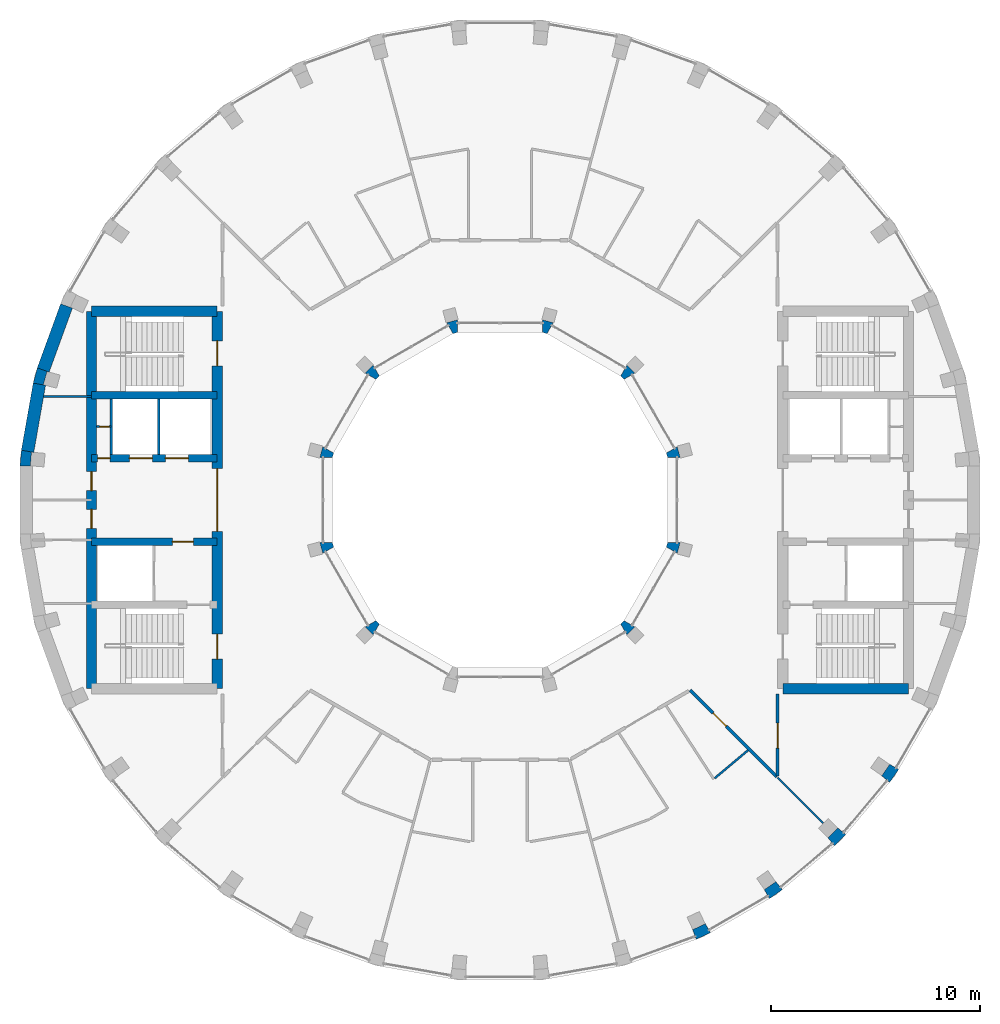
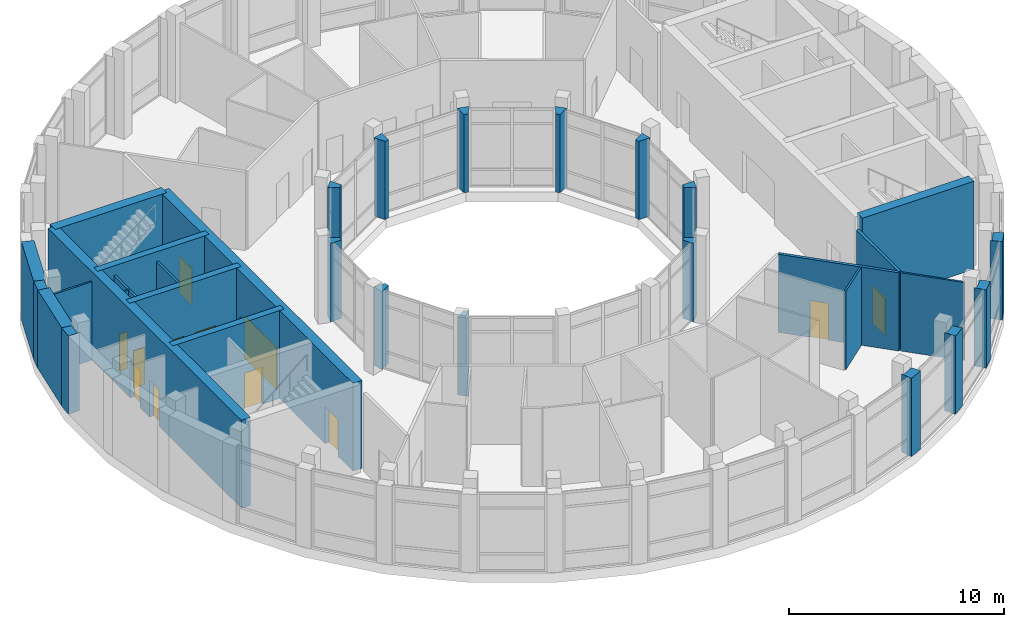
# One storey, part 12 of 16: 33 walls, 12 doors, 12 openings.
"""IFC4 building model written with IfcOpenShell, lengths in metres."""

from ifc_helpers import new_model, si_unit, direction, frame, frame_2d, origin, place, context, subcontext, project, spatial, polyline, rectangle, outline, extrude, material, layer, layer_set, type_object, element, fill, save


model = new_model("IFC4")

# Units and contexts
model_context = context("Model", 3, precision=1e-05, world=origin(), true_north=direction((0.0, 1.0)))
body_context = subcontext(model_context, "Body", "Model", "MODEL_VIEW")
ifc_project = project(units=[si_unit("LENGTHUNIT", "METRE"), si_unit("AREAUNIT", "SQUARE_METRE"), si_unit("VOLUMEUNIT", "CUBIC_METRE"), si_unit("PLANEANGLEUNIT", "RADIAN"), si_unit("MASSUNIT", "GRAM", prefix="KILO")], contexts=[model_context])

# Site, building, storey
site_placement = place(None, origin())
site = spatial("IfcSite", under=ifc_project, at=site_placement, CompositionType="ELEMENT")
building_placement = place(site_placement, origin())
building = spatial("IfcBuilding", under=site, at=building_placement, Name="Saqina Gate Tower", CompositionType="ELEMENT")
storey_placement = place(building_placement, frame((0.0, 0.0, 279.199951171875)))
storey = spatial("IfcBuildingStorey", under=building, at=storey_placement, Name="L80", CompositionType="ELEMENT", Elevation=279.199951171875)

# Walls
ifc_material_1 = material(Name="Brick masonry (buff)", Category="masonry")
wall_type_1 = type_object("IfcWallType", Name="BRICK PIER COPING BUFF", PredefinedType="SOLIDWALL", material=ifc_material_1)
wall_1_placement = place(storey_placement, origin())
element("IfcWall", 1, at=wall_1_placement, inside=storey, type_object=wall_type_1, Name="Pier cap L80 column 17", PredefinedType="SOLIDWALL", context=body_context, shape_type="SweptSolid", body=[
    extrude(outline(polyline([(-22.281982421875, 5.579833984375), (-21.691162109375, 5.4755859375), (-21.793212890625, 5.5029296875), (-21.625, 6.130859375), (-21.52294921875, 6.103515625), (-22.0869140625, 6.30859375), (-22.281982421875, 5.579833984375)])), origin(), (0.0, 0.0, 1.0), 4.449951171875),
])
wall_2_placement = place(storey_placement, origin())
element("IfcWall", 2, at=wall_2_placement, inside=storey, type_object=wall_type_1, Name="Pier cap L80 column 18", PredefinedType="SOLIDWALL", context=body_context, shape_type="SweptSolid", body=[
    extrude(outline(polyline([(-22.8466796875, 2.377685546875), (-22.91259765625, 1.625732421875), (-22.3125, 1.625732421875), (-22.417724609375, 1.635009765625), (-22.361083984375, 2.28271484375), (-22.255859375, 2.2734375), (-22.8466796875, 2.377685546875)])), origin(), (0.0, 0.0, 1.0), 4.449951171875),
])
wall_3_placement = place(storey_placement, origin())
element("IfcWall", 3, at=wall_3_placement, inside=storey, type_object=wall_type_1, Name="Pier cap L80 column 30", PredefinedType="SOLIDWALL", context=body_context, shape_type="SweptSolid", body=[
    extrude(outline(polyline([(9.3642578125, -20.974609375), (10.048095703125, -20.65576171875), (9.748291015625, -20.135986328125), (9.79296875, -20.23193359375), (9.203857421875, -20.506591796875), (9.1591796875, -20.410888671875), (9.3642578125, -20.974609375)])), origin(), (0.0, 0.0, 1.0), 4.449951171875),
])
wall_4_placement = place(storey_placement, origin())
element("IfcWall", 4, at=wall_4_placement, inside=storey, type_object=wall_type_1, Name="Pier cap L80 column 31", PredefinedType="SOLIDWALL", context=body_context, shape_type="SweptSolid", body=[
    extrude(outline(polyline([(12.8642578125, -19.02978515625), (13.482421875, -18.59716796875), (13.0966796875, -18.137451171875), (13.157470703125, -18.22412109375), (12.625, -18.596923828125), (12.564208984375, -18.51025390625), (12.8642578125, -19.02978515625)])), origin(), (0.0, 0.0, 1.0), 4.449951171875),
])
wall_5_placement = place(storey_placement, origin())
element("IfcWall", 5, at=wall_5_placement, inside=storey, type_object=wall_type_1, Name="Pier cap L80 column 32", PredefinedType="SOLIDWALL", context=body_context, shape_type="SweptSolid", body=[
    extrude(outline(polyline([(16.5068359375, -15.973388671875), (16.04736328125, -15.587646484375), (16.1220703125, -15.662353515625), (15.662353515625, -16.1220703125), (15.587646484375, -16.04736328125), (15.973388671875, -16.5068359375), (16.5068359375, -15.973388671875)])), origin(), (0.0, 0.0, 1.0), 4.449951171875),
])
wall_6_placement = place(storey_placement, origin())
element("IfcWall", 6, at=wall_6_placement, inside=storey, type_object=wall_type_1, Name="Pier cap L80 column 33", PredefinedType="SOLIDWALL", context=body_context, shape_type="SweptSolid", body=[
    extrude(outline(polyline([(19.02978515625, -12.8642578125), (18.51025390625, -12.564208984375), (18.596923828125, -12.625), (18.22412109375, -13.157470703125), (18.137451171875, -13.0966796875), (18.59716796875, -13.482421875), (19.02978515625, -12.8642578125)])), origin(), (0.0, 0.0, 1.0), 4.449951171875),
])

# Wall, opening, door
ifc_material_2 = material(Name="Gypsum board on steel studs", Category="steel")
ifc_layer_1 = layer(ifc_material_2, 0.10009765625)
ifc_layer_set_1 = layer_set([ifc_layer_1], Name="CORE PARTITION")
wall_type_2 = type_object("IfcWallType", Name="CORE PARTITION", PredefinedType="PARTITIONING", material=ifc_layer_set_1)
wall_7_placement = place(storey_placement, frame((-18.56005859375, 3.5, 0.0), z_axis=(0.0, 0.0, 1.0), x_axis=(-1.0, 0.0, 0.0)))
wall_7 = element("IfcWall", 7, at=wall_7_placement, inside=storey, type_object=wall_type_2, Name="L80-CP-W01", PredefinedType="PARTITIONING", context=body_context, shape_type="SweptSolid", body=[
    extrude(rectangle(XDim=0.68994140625, YDim=0.10009765625, at=frame_2d((0.344970703125, 0.0))), origin(), (0.0, 0.0, 1.0), 4.449951171875),
])
opening_1_placement = place(wall_7_placement, frame((0.10009765625, 0.0, 0.0)))
opening_1 = element("IfcOpeningElement", 8, at=opening_1_placement, cuts=wall_7, Name="Opening L80-D105", PredefinedType="OPENING", context=body_context, shape_type="SweptSolid", body=[
    extrude(rectangle(XDim=0.449951171875, YDim=2.10009765625, at=frame_2d((0.22509765625, 1.050048828125))), frame((0.0, 0.06201171875, 0.0), z_axis=(0.0, -1.0, 0.0), x_axis=(1.0, 0.0, 0.0)), (0.0, 0.0, 1.0), 0.1240234375),
])
ifc_material_3 = material(Name="Steel-framed fire door leaf, EI 60", Category="steel")
door_type_1 = type_object("IfcDoorType", Name="SERVICE ROOM DOOR 450", OperationType="SINGLE_SWING_LEFT", PredefinedType="DOOR", material=ifc_material_3)
door_1_placement = place(opening_1_placement, origin())
door_1 = element("IfcDoor", 9, at=door_1_placement, inside=storey, type_object=door_type_1, Name="L80-CD-W16", OperationType="SINGLE_SWING_RIGHT", OverallHeight=2.10009765625, OverallWidth=0.449951171875, PredefinedType="DOOR", context=body_context, shape_type="SweptSolid", body=[
    extrude(rectangle(XDim=0.449951171875, YDim=2.10009765625, at=frame_2d((0.22509765625, 1.050048828125))), frame((0.0, 0.02490234375, 0.0), z_axis=(0.0, -1.0, 0.0), x_axis=(1.0, 0.0, 0.0)), (0.0, 0.0, 1.0), 0.050048828125),
])
fill(opening_1, door_1)

# Walls
wall_8_placement = place(storey_placement, frame((-19.5, 4.949951171875, 0.0), z_axis=(0.0, 0.0, 1.0), x_axis=(-1.0, 0.0, 0.0)))
element("IfcWall", 10, at=wall_8_placement, inside=storey, type_object=wall_type_2, Name="L80-CP-W02", PredefinedType="PARTITIONING", context=body_context, shape_type="SweptSolid", body=[
    extrude(rectangle(XDim=2.283935546875, YDim=0.10009765625, at=frame_2d((1.14208984375, 0.0))), origin(), (0.0, 0.0, 1.0), 4.449951171875),
])
ifc_material_4 = material(Name="Glazed ceramic tile", Category="ceramic")
ifc_layer_2 = layer(ifc_material_4, 0.60009765625)
ifc_layer_set_2 = layer_set([ifc_layer_2], Name="FW-TILE")
wall_type_3 = type_object("IfcWallType", Name="FW-TILE", PredefinedType="SOLIDWALL", material=ifc_layer_set_2)
wall_9_placement = place(storey_placement, frame((-21.986572265625, 5.52783203125, 0.0), z_axis=(0.0, 0.0, 1.0), x_axis=(-0.173656842178, -0.984806225186, 0.0)))
element("IfcWall", 11, at=wall_9_placement, inside=storey, type_object=wall_type_3, Name="Facade wall L80 facet 17", PredefinedType="SOLIDWALL", context=body_context, shape_type="SweptSolid", body=[
    extrude(rectangle(XDim=3.251708984375, YDim=0.60009765625, at=frame_2d((1.6259765625, 0.0))), origin(), (0.0, 0.0, 1.0), 4.449951171875),
])
ifc_material_5 = material(Name="Glazed ceramic tile (white)", Category="ceramic")
ifc_layer_3 = layer(ifc_material_5, 0.60009765625)
ifc_layer_set_3 = layer_set([ifc_layer_3], Name="FW-TILE-WH")
wall_type_4 = type_object("IfcWallType", Name="FW-TILE-WH", PredefinedType="SOLIDWALL", material=ifc_layer_set_3)
wall_10_placement = place(storey_placement, frame((-20.692626953125, 9.26171875, 0.0), z_axis=(0.0, 0.0, 1.0), x_axis=(-0.342056509473, -0.939679383794, 0.0)))
element("IfcWall", 12, at=wall_10_placement, inside=storey, type_object=wall_type_4, Name="Facade wall L80 facet 16", PredefinedType="SOLIDWALL", context=body_context, shape_type="SweptSolid", body=[
    extrude(rectangle(XDim=3.251708984375, YDim=0.60009765625, at=frame_2d((1.6259765625, 0.0))), origin(), (0.0, 0.0, 1.0), 4.449951171875),
])
ifc_material_6 = material(Name="Autoclaved aerated concrete block", Category="concrete")
ifc_layer_4 = layer(ifc_material_6, 0.1201171875)
ifc_layer_set_4 = layer_set([ifc_layer_4], Name="SHAFT PARTITION")
wall_type_5 = type_object("IfcWallType", Name="SHAFT PARTITION", PredefinedType="PARTITIONING", material=ifc_layer_set_4)
for number, where, z_axis, x_axis, name in (
    (13, (-16.280029296875, 2.175048828125, 0.0), (0.0, 0.0, 1.0), (0.0, 1.0, 0.0), "L80-CP-W06"),
    (14, (-18.56005859375, 2.175048828125, 0.0), (0.0, 0.0, 1.0), (0.0, 1.0, 0.0), "L80-CP-W07"),
):
    element("IfcWall", number, at=place(storey_placement, frame(where, z_axis=z_axis, x_axis=x_axis)), inside=storey, type_object=wall_type_5, Name=name, PredefinedType="PARTITIONING", context=body_context, shape_type="SweptSolid", body=[
        extrude(rectangle(XDim=2.64990234375, YDim=0.1201171875, at=frame_2d((1.324951171875, 0.0))), origin(), (0.0, 0.0, 1.0), 4.449951171875),
    ])
ifc_material_7 = material(Name="Gypsum board on steel studs, 100 mm", Category="steel")
ifc_layer_5 = layer(ifc_material_7, 0.10009765625)
ifc_layer_set_5 = layer_set([ifc_layer_5], Name="SPECIAL PARTITION 100")
wall_type_6 = type_object("IfcWallType", Name="SPECIAL PARTITION 100", PredefinedType="PARTITIONING", material=ifc_layer_set_5)
wall_11_placement = place(storey_placement, frame((13.25, -13.25, 0.0), z_axis=(0.0, 0.0, 1.0), x_axis=(0.707106781187, -0.707106781187, 0.0)))
element("IfcWall", 15, at=wall_11_placement, inside=storey, type_object=wall_type_6, Name="PARTITION 008", PredefinedType="PARTITIONING", context=body_context, shape_type="SweptSolid", body=[
    extrude(rectangle(XDim=3.07666015625, YDim=0.10009765625, at=frame_2d((1.538330078125, 0.0))), origin(), (0.0, 0.0, 1.0), 4.449951171875),
])
wall_12_placement = place(storey_placement, frame((10.2392578125, -13.289794921875, 0.0), z_axis=(0.0, 0.0, 1.0), x_axis=(0.766082082368, 0.642742750308, 0.0)))
element("IfcWall", 16, at=wall_12_placement, inside=storey, type_object=wall_type_6, Name="PARTITION 029", PredefinedType="PARTITIONING", context=body_context, shape_type="SweptSolid", body=[
    extrude(rectangle(XDim=2.09033203125, YDim=0.10009765625, at=frame_2d((1.045166015625, 0.0))), origin(), (0.0, 0.0, 1.0), 4.449951171875),
])

# Wall, opening, door
ifc_material_8 = material(Name="Gypsum board on steel studs, 150 mm, fire rated", Category="steel")
ifc_layer_6 = layer(ifc_material_8, 0.14990234375)
ifc_layer_set_6 = layer_set([ifc_layer_6], Name="SPECIAL PARTITION EI 30 150")
wall_type_7 = type_object("IfcWallType", Name="SPECIAL PARTITION EI 30 150", PredefinedType="PARTITIONING", material=ifc_layer_set_6)
wall_13_placement = place(storey_placement, frame((9.076904296875, -9.076904296875, 0.0), z_axis=(0.0, 0.0, 1.0), x_axis=(0.707106781187, -0.707106781187, 0.0)))
wall_13 = element("IfcWall", 17, at=wall_13_placement, inside=storey, type_object=wall_type_7, Name="PARTITION 010", PredefinedType="PARTITIONING", context=body_context, shape_type="SweptSolid", body=[
    extrude(rectangle(XDim=5.8515625, YDim=0.14990234375, at=frame_2d((2.92578125, 0.0))), origin(), (0.0, 0.0, 1.0), 4.449951171875),
])
opening_2_placement = place(wall_13_placement, frame((1.544677734375, 0.0, 0.0)))
opening_2 = element("IfcOpeningElement", 18, at=opening_2_placement, cuts=wall_13, Name="Opening L80-D22", PredefinedType="OPENING", context=body_context, shape_type="SweptSolid", body=[
    extrude(rectangle(XDim=0.89990234375, YDim=2.10009765625, at=frame_2d((0.449951171875, 1.050048828125))), frame((0.0, 0.0869140625, 0.0), z_axis=(0.0, -1.0, 0.0), x_axis=(1.0, 0.0, 0.0)), (0.0, 0.0, 1.0), 0.173828125),
])
ifc_material_9 = material(Name="Steel-framed fire door leaf, EI 30", Category="steel")
door_type_2 = type_object("IfcDoorType", Name="SPECIAL DOOR 900 FIRE EI 30", OperationType="SINGLE_SWING_LEFT", PredefinedType="DOOR", material=ifc_material_9)
door_2_placement = place(opening_2_placement, frame((0.89990234375, 0.0, 0.0), z_axis=(0.0, 0.0, 1.0), x_axis=(-1.0, 0.0, 0.0)))
door_2 = element("IfcDoor", 19, at=door_2_placement, inside=storey, type_object=door_type_2, Name="DOOR L80-D22", OperationType="SINGLE_SWING_RIGHT", OverallHeight=2.10009765625, OverallWidth=0.89990234375, PredefinedType="DOOR", context=body_context, shape_type="SweptSolid", body=[
    extrude(rectangle(XDim=0.89990234375, YDim=2.10009765625, at=frame_2d((0.449951171875, 1.050048828125))), frame((0.0, 0.02490234375, 0.0), z_axis=(0.0, -1.0, 0.0), x_axis=(1.0, 0.0, 0.0)), (0.0, 0.0, 1.0), 0.050048828125),
])
fill(opening_2, door_2)

wall_14_placement = place(storey_placement, frame((13.25, -13.175048828125, 0.0), z_axis=(0.0, 0.0, 1.0), x_axis=(0.0, 1.0, 0.0)))
wall_14 = element("IfcWall", 20, at=wall_14_placement, inside=storey, type_object=wall_type_7, Name="PARTITION 041", PredefinedType="PARTITIONING", context=body_context, shape_type="SweptSolid", body=[
    extrude(rectangle(XDim=3.925048828125, YDim=0.14990234375, at=frame_2d((1.96240234375, 0.0))), origin(), (0.0, 0.0, 1.0), 4.449951171875),
])
opening_3_placement = place(wall_14_placement, frame((1.324951171875, 0.0, 0.0)))
opening_3 = element("IfcOpeningElement", 21, at=opening_3_placement, cuts=wall_14, Name="Opening L80-D23", PredefinedType="OPENING", context=body_context, shape_type="SweptSolid", body=[
    extrude(rectangle(XDim=1.199951171875, YDim=2.10009765625, at=frame_2d((0.60009765625, 1.050048828125))), frame((0.0, 0.0869140625, 0.0), z_axis=(0.0, -1.0, 0.0), x_axis=(1.0, 0.0, 0.0)), (0.0, 0.0, 1.0), 0.173828125),
])
ifc_material_10 = material(Name="Steel-framed fire door leaf, EI 30", Category="steel")
door_type_3 = type_object("IfcDoorType", Name="SPECIAL DOOR 1200 FIRE EI 30", OperationType="SINGLE_SWING_LEFT", PredefinedType="DOOR", material=ifc_material_10)
door_3_placement = place(opening_3_placement, frame((1.199951171875, 0.0, 0.0), z_axis=(0.0, 0.0, 1.0), x_axis=(-1.0, 0.0, 0.0)))
door_3 = element("IfcDoor", 22, at=door_3_placement, inside=storey, type_object=door_type_3, Name="DOOR L80-D23", OperationType="SINGLE_SWING_RIGHT", OverallHeight=2.10009765625, OverallWidth=1.199951171875, PredefinedType="DOOR", context=body_context, shape_type="SweptSolid", body=[
    extrude(rectangle(XDim=1.199951171875, YDim=2.10009765625, at=frame_2d((0.60009765625, 1.050048828125))), frame((0.0, 0.02490234375, 0.0), z_axis=(0.0, -1.0, 0.0), x_axis=(1.0, 0.0, 0.0)), (0.0, 0.0, 1.0), 0.050048828125),
])
fill(opening_3, door_3)

# Wall
ifc_material_11 = material(Name="Concrete C60/75", Category="concrete")
ifc_layer_7 = layer(ifc_material_11, 0.35009765625)
ifc_layer_set_7 = layer_set([ifc_layer_7], Name="Concrete C60/75")
wall_type_8 = type_object("IfcWallType", Name="STR-CORE WALL-D-I", PredefinedType="SHEAR", material=ifc_layer_set_7)
wall_15_placement = place(storey_placement, frame((-13.5, 5.0, 0.0), z_axis=(0.0, 0.0, 1.0), x_axis=(-1.0, 0.0, 0.0)))
element("IfcWall", 23, at=wall_15_placement, inside=storey, type_object=wall_type_8, Name="CORE WALL L80 W-X1", PredefinedType="SHEAR", context=body_context, shape_type="SweptSolid", body=[
    extrude(rectangle(XDim=6.0, YDim=0.35009765625, at=frame_2d((3.0, 0.0))), origin(), (0.0, 0.0, 1.0), 5.0),
])

# Wall, openings, doors
wall_16_placement = place(storey_placement, frame((-13.5, 2.0, 0.0), z_axis=(0.0, 0.0, 1.0), x_axis=(-1.0, 0.0, 0.0)))
wall_16 = element("IfcWall", 24, at=wall_16_placement, inside=storey, type_object=wall_type_8, Name="CORE WALL L80 W-L1", PredefinedType="SHEAR", context=body_context, shape_type="SweptSolid", body=[
    extrude(rectangle(XDim=6.0, YDim=0.35009765625, at=frame_2d((3.0, 0.0))), origin(), (0.0, 0.0, 1.0), 5.0),
])
opening_4_placement = place(wall_16_placement, frame((1.3701171875, 0.0, 0.0)))
opening_4 = element("IfcOpeningElement", 25, at=opening_4_placement, cuts=wall_16, Name="Opening L80-LD4", PredefinedType="OPENING", context=body_context, shape_type="SweptSolid", body=[
    extrude(rectangle(XDim=1.10009765625, YDim=2.10009765625, at=frame_2d((0.550048828125, 1.050048828125))), frame((0.0, 0.18701171875, 0.0), z_axis=(0.0, -1.0, 0.0), x_axis=(1.0, 0.0, 0.0)), (0.0, 0.0, 1.0), 0.3740234375),
])
opening_5_placement = place(wall_16_placement, frame((3.090087890625, 0.0, 0.0)))
opening_5 = element("IfcOpeningElement", 26, at=opening_5_placement, cuts=wall_16, Name="Opening L80-LD5", PredefinedType="OPENING", context=body_context, shape_type="SweptSolid", body=[
    extrude(rectangle(XDim=1.10009765625, YDim=2.10009765625, at=frame_2d((0.550048828125, 1.050048828125))), frame((0.0, 0.18701171875, 0.0), z_axis=(0.0, -1.0, 0.0), x_axis=(1.0, 0.0, 0.0)), (0.0, 0.0, 1.0), 0.3740234375),
])
opening_6_placement = place(wall_16_placement, frame((5.10498046875, 0.0, 0.0)))
opening_6 = element("IfcOpeningElement", 27, at=opening_6_placement, cuts=wall_16, Name="Opening L80-D100", PredefinedType="OPENING", context=body_context, shape_type="SweptSolid", body=[
    extrude(rectangle(XDim=0.60009765625, YDim=2.10009765625, at=frame_2d((0.300048828125, 1.050048828125))), frame((0.0, 0.18701171875, 0.0), z_axis=(0.0, -1.0, 0.0), x_axis=(1.0, 0.0, 0.0)), (0.0, 0.0, 1.0), 0.3740234375),
])
ifc_material_12 = material(Name="Stainless steel", Category="steel")
door_type_4 = type_object("IfcDoorType", Name="LANDING DOOR", OperationType="DOUBLE_DOOR_SLIDING", PredefinedType="DOOR", material=ifc_material_12)
door_4_placement = place(opening_4_placement, origin())
door_4 = element("IfcDoor", 28, at=door_4_placement, inside=storey, type_object=door_type_4, Name="LANDING DOOR HR3", OperationType="DOUBLE_DOOR_SLIDING", OverallHeight=2.10009765625, OverallWidth=1.10009765625, PredefinedType="DOOR", context=body_context, shape_type="SweptSolid", body=[
    extrude(rectangle(XDim=1.10009765625, YDim=2.10009765625, at=frame_2d((0.550048828125, 1.050048828125))), frame((0.0, 0.02490234375, 0.0), z_axis=(0.0, -1.0, 0.0), x_axis=(1.0, 0.0, 0.0)), (0.0, 0.0, 1.0), 0.050048828125),
])
fill(opening_4, door_4)
door_5_placement = place(opening_5_placement, origin())
door_5 = element("IfcDoor", 29, at=door_5_placement, inside=storey, type_object=door_type_4, Name="LANDING DOOR HR4", OperationType="DOUBLE_DOOR_SLIDING", OverallHeight=2.10009765625, OverallWidth=1.10009765625, PredefinedType="DOOR", context=body_context, shape_type="SweptSolid", body=[
    extrude(rectangle(XDim=1.10009765625, YDim=2.10009765625, at=frame_2d((0.550048828125, 1.050048828125))), frame((0.0, 0.02490234375, 0.0), z_axis=(0.0, -1.0, 0.0), x_axis=(1.0, 0.0, 0.0)), (0.0, 0.0, 1.0), 0.050048828125),
])
fill(opening_5, door_5)
ifc_material_13 = material(Name="Steel-framed fire door leaf, EI 60", Category="steel")
door_type_5 = type_object("IfcDoorType", Name="SERVICE ROOM DOOR 600", OperationType="SINGLE_SWING_LEFT", PredefinedType="DOOR", material=ifc_material_13)
door_6_placement = place(opening_6_placement, frame((0.60009765625, 0.0, 0.0), z_axis=(0.0, 0.0, 1.0), x_axis=(-1.0, 0.0, 0.0)))
door_6 = element("IfcDoor", 30, at=door_6_placement, inside=storey, type_object=door_type_5, Name="L80-CD-W11", OperationType="SINGLE_SWING_LEFT", OverallHeight=2.10009765625, OverallWidth=0.60009765625, PredefinedType="DOOR", context=body_context, shape_type="SweptSolid", body=[
    extrude(rectangle(XDim=0.60009765625, YDim=2.10009765625, at=frame_2d((0.300048828125, 1.050048828125))), frame((0.0, 0.02490234375, 0.0), z_axis=(0.0, -1.0, 0.0), x_axis=(1.0, 0.0, 0.0)), (0.0, 0.0, 1.0), 0.050048828125),
])
fill(opening_6, door_6)

# Wall, opening, door
wall_17_placement = place(storey_placement, frame((-13.5, -2.0, 0.0), z_axis=(0.0, 0.0, 1.0), x_axis=(-1.0, 0.0, 0.0)))
wall_17 = element("IfcWall", 31, at=wall_17_placement, inside=storey, type_object=wall_type_8, Name="CORE WALL L80 W-L2", PredefinedType="SHEAR", context=body_context, shape_type="SweptSolid", body=[
    extrude(rectangle(XDim=6.0, YDim=0.35009765625, at=frame_2d((3.0, 0.0))), origin(), (0.0, 0.0, 1.0), 5.0),
])
opening_7_placement = place(wall_17_placement, frame((1.139892578125, 0.0, 0.0)))
opening_7 = element("IfcOpeningElement", 32, at=opening_7_placement, cuts=wall_17, Name="Opening L80-D101", PredefinedType="OPENING", context=body_context, shape_type="SweptSolid", body=[
    extrude(rectangle(XDim=1.0, YDim=2.10009765625, at=frame_2d((0.5, 1.050048828125))), frame((0.0, 0.18701171875, 0.0), z_axis=(0.0, -1.0, 0.0), x_axis=(1.0, 0.0, 0.0)), (0.0, 0.0, 1.0), 0.3740234375),
])
ifc_material_14 = material(Name="Steel", Category="steel")
door_type_6 = type_object("IfcDoorType", Name="FIRE LOBBY DOOR EI 60", OperationType="SINGLE_SWING_LEFT", PredefinedType="DOOR", material=ifc_material_14)
door_7_placement = place(opening_7_placement, frame((1.0, 0.0, 0.0), z_axis=(0.0, 0.0, 1.0), x_axis=(-1.0, 0.0, 0.0)))
door_7 = element("IfcDoor", 33, at=door_7_placement, inside=storey, type_object=door_type_6, Name="L80-CD-W12", OperationType="SINGLE_SWING_RIGHT", OverallHeight=2.10009765625, OverallWidth=1.0, PredefinedType="DOOR", context=body_context, shape_type="SweptSolid", body=[
    extrude(rectangle(XDim=1.0, YDim=2.10009765625, at=frame_2d((0.5, 1.050048828125))), frame((0.0, 0.02490234375, 0.0), z_axis=(0.0, -1.0, 0.0), x_axis=(1.0, 0.0, 0.0)), (0.0, 0.0, 1.0), 0.050048828125),
])
fill(opening_7, door_7)

# Wall
ifc_material_15 = material(Name="Concrete C60/75", Category="concrete")
ifc_layer_8 = layer(ifc_material_15, 0.5)
ifc_layer_set_8 = layer_set([ifc_layer_8], Name="Concrete C60/75")
wall_type_9 = type_object("IfcWallType", Name="STR-CORE WALL-D-O", PredefinedType="SHEAR", material=ifc_layer_set_8)
wall_18_placement = place(storey_placement, frame((13.5, -9.0, 0.0), z_axis=(0.0, 0.0, 1.0), x_axis=(1.0, 0.0, 0.0)))
element("IfcWall", 34, at=wall_18_placement, inside=storey, type_object=wall_type_9, Name="CORE WALL L80 E-SE", PredefinedType="SHEAR", context=body_context, shape_type="SweptSolid", body=[
    extrude(rectangle(XDim=6.0, YDim=0.5, at=frame_2d((3.0, 0.0))), origin(), (0.0, 0.0, 1.0), 5.0),
])

# Wall, openings, doors
wall_19_placement = place(storey_placement, frame((-13.5, -9.0, 0.0), z_axis=(0.0, 0.0, 1.0), x_axis=(0.0, 1.0, 0.0)))
wall_19 = element("IfcWall", 35, at=wall_19_placement, inside=storey, type_object=wall_type_9, Name="CORE WALL L80 W-W1", PredefinedType="SHEAR", context=body_context, shape_type="SweptSolid", body=[
    extrude(rectangle(XDim=18.0, YDim=0.5, at=frame_2d((9.0, 0.0))), origin(), (0.0, 0.0, 1.0), 5.0),
])
opening_8_placement = place(wall_19_placement, frame((15.39990234375, 0.0, 0.0)))
opening_8 = element("IfcOpeningElement", 36, at=opening_8_placement, cuts=wall_19, Name="Opening L80-D107", PredefinedType="OPENING", context=body_context, shape_type="SweptSolid", body=[
    extrude(rectangle(XDim=1.199951171875, YDim=2.10009765625, at=frame_2d((0.60009765625, 1.050048828125))), frame((0.0, 0.261962890625, 0.0), z_axis=(0.0, -1.0, 0.0), x_axis=(1.0, 0.0, 0.0)), (0.0, 0.0, 1.0), 0.52392578125),
])
opening_9_placement = place(wall_19_placement, frame((1.39990234375, 0.0, 0.0)))
opening_9 = element("IfcOpeningElement", 37, at=opening_9_placement, cuts=wall_19, Name="Opening L80-D108", PredefinedType="OPENING", context=body_context, shape_type="SweptSolid", body=[
    extrude(rectangle(XDim=1.199951171875, YDim=2.10009765625, at=frame_2d((0.60009765625, 1.050048828125))), frame((0.0, 0.261962890625, 0.0), z_axis=(0.0, -1.0, 0.0), x_axis=(1.0, 0.0, 0.0)), (0.0, 0.0, 1.0), 0.52392578125),
])
opening_10_placement = place(wall_19_placement, frame((7.5, 0.0, 0.0)))
opening_10 = element("IfcOpeningElement", 38, at=opening_10_placement, cuts=wall_19, Name="Opening L80-D109", PredefinedType="OPENING", context=body_context, shape_type="SweptSolid", body=[
    extrude(rectangle(XDim=3.0, YDim=2.39990234375, at=frame_2d((1.5, 1.199951171875))), frame((0.0, 0.261962890625, 0.0), z_axis=(0.0, -1.0, 0.0), x_axis=(1.0, 0.0, 0.0)), (0.0, 0.0, 1.0), 0.52392578125),
])
ifc_material_16 = material(Name="Steel", Category="steel")
door_type_7 = type_object("IfcDoorType", Name="FIRE DOOR EI 60", OperationType="SINGLE_SWING_LEFT", PredefinedType="DOOR", material=ifc_material_16)
door_8_placement = place(opening_8_placement, origin())
door_8 = element("IfcDoor", 39, at=door_8_placement, inside=storey, type_object=door_type_7, Name="L80-CD-W18", OperationType="SINGLE_SWING_RIGHT", OverallHeight=2.10009765625, OverallWidth=1.199951171875, PredefinedType="DOOR", context=body_context, shape_type="SweptSolid", body=[
    extrude(rectangle(XDim=1.199951171875, YDim=2.10009765625, at=frame_2d((0.60009765625, 1.050048828125))), frame((0.0, 0.02490234375, 0.0), z_axis=(0.0, -1.0, 0.0), x_axis=(1.0, 0.0, 0.0)), (0.0, 0.0, 1.0), 0.050048828125),
])
fill(opening_8, door_8)
door_9_placement = place(opening_9_placement, origin())
door_9 = element("IfcDoor", 40, at=door_9_placement, inside=storey, type_object=door_type_7, Name="L80-CD-W19", OperationType="SINGLE_SWING_LEFT", OverallHeight=2.10009765625, OverallWidth=1.199951171875, PredefinedType="DOOR", context=body_context, shape_type="SweptSolid", body=[
    extrude(rectangle(XDim=1.199951171875, YDim=2.10009765625, at=frame_2d((0.60009765625, 1.050048828125))), frame((0.0, 0.02490234375, 0.0), z_axis=(0.0, -1.0, 0.0), x_axis=(1.0, 0.0, 0.0)), (0.0, 0.0, 1.0), 0.050048828125),
])
fill(opening_9, door_9)
ifc_material_17 = material(Name="Steel and fire-resisting glass", Category="steel")
door_type_8 = type_object("IfcDoorType", Name="LOBBY SCREEN DOOR", OperationType="DOUBLE_DOOR_SLIDING", PredefinedType="DOOR", material=ifc_material_17)
door_10_placement = place(opening_10_placement, origin())
door_10 = element("IfcDoor", 41, at=door_10_placement, inside=storey, type_object=door_type_8, Name="L80-CD-W20", OperationType="DOUBLE_DOOR_SLIDING", OverallHeight=2.39990234375, OverallWidth=3.0, PredefinedType="DOOR", context=body_context, shape_type="SweptSolid", body=[
    extrude(rectangle(XDim=3.0, YDim=2.39990234375, at=frame_2d((1.5, 1.199951171875))), frame((0.0, 0.02490234375, 0.0), z_axis=(0.0, -1.0, 0.0), x_axis=(1.0, 0.0, 0.0)), (0.0, 0.0, 1.0), 0.050048828125),
])
fill(opening_10, door_10)

wall_20_placement = place(storey_placement, frame((-19.5, -9.0, 0.0), z_axis=(0.0, 0.0, 1.0), x_axis=(0.0, 1.0, 0.0)))
wall_20 = element("IfcWall", 42, at=wall_20_placement, inside=storey, type_object=wall_type_9, Name="CORE WALL L80 W-W2", PredefinedType="SHEAR", context=body_context, shape_type="SweptSolid", body=[
    extrude(rectangle(XDim=18.0, YDim=0.5, at=frame_2d((9.0, 0.0))), origin(), (0.0, 0.0, 1.0), 5.0),
])
opening_11_placement = place(wall_20_placement, frame((9.449951171875, 0.0, 0.0)))
opening_11 = element("IfcOpeningElement", 43, at=opening_11_placement, cuts=wall_20, Name="Opening L80-D102", PredefinedType="OPENING", context=body_context, shape_type="SweptSolid", body=[
    extrude(rectangle(XDim=0.89990234375, YDim=2.10009765625, at=frame_2d((0.449951171875, 1.050048828125))), frame((0.0, 0.261962890625, 0.0), z_axis=(0.0, -1.0, 0.0), x_axis=(1.0, 0.0, 0.0)), (0.0, 0.0, 1.0), 0.52392578125),
])
opening_12_placement = place(wall_20_placement, frame((7.64990234375, 0.0, 0.0)))
opening_12 = element("IfcOpeningElement", 44, at=opening_12_placement, cuts=wall_20, Name="Opening L80-D104", PredefinedType="OPENING", context=body_context, shape_type="SweptSolid", body=[
    extrude(rectangle(XDim=0.89990234375, YDim=2.10009765625, at=frame_2d((0.449951171875, 1.050048828125))), frame((0.0, 0.261962890625, 0.0), z_axis=(0.0, -1.0, 0.0), x_axis=(1.0, 0.0, 0.0)), (0.0, 0.0, 1.0), 0.52392578125),
])
ifc_material_18 = material(Name="Steel-framed fire door leaf, EI 60", Category="steel")
door_type_9 = type_object("IfcDoorType", Name="SERVICE ROOM DOOR 900", OperationType="SINGLE_SWING_LEFT", PredefinedType="DOOR", material=ifc_material_18)
door_11_placement = place(opening_11_placement, origin())
door_11 = element("IfcDoor", 45, at=door_11_placement, inside=storey, type_object=door_type_9, Name="L80-CD-W13", OperationType="SINGLE_SWING_LEFT", OverallHeight=2.10009765625, OverallWidth=0.89990234375, PredefinedType="DOOR", context=body_context, shape_type="SweptSolid", body=[
    extrude(rectangle(XDim=0.89990234375, YDim=2.10009765625, at=frame_2d((0.449951171875, 1.050048828125))), frame((0.0, 0.02490234375, 0.0), z_axis=(0.0, -1.0, 0.0), x_axis=(1.0, 0.0, 0.0)), (0.0, 0.0, 1.0), 0.050048828125),
])
fill(opening_11, door_11)
door_12_placement = place(opening_12_placement, origin())
door_12 = element("IfcDoor", 46, at=door_12_placement, inside=storey, type_object=door_type_9, Name="L80-CD-W15", OperationType="SINGLE_SWING_LEFT", OverallHeight=2.10009765625, OverallWidth=0.89990234375, PredefinedType="DOOR", context=body_context, shape_type="SweptSolid", body=[
    extrude(rectangle(XDim=0.89990234375, YDim=2.10009765625, at=frame_2d((0.449951171875, 1.050048828125))), frame((0.0, 0.02490234375, 0.0), z_axis=(0.0, -1.0, 0.0), x_axis=(1.0, 0.0, 0.0)), (0.0, 0.0, 1.0), 0.050048828125),
])
fill(opening_12, door_12)

# Walls
wall_21_placement = place(storey_placement, frame((-13.5, 9.0, 0.0), z_axis=(0.0, 0.0, 1.0), x_axis=(-1.0, 0.0, 0.0)))
element("IfcWall", 47, at=wall_21_placement, inside=storey, type_object=wall_type_9, Name="CORE WALL L80 W-NE", PredefinedType="SHEAR", context=body_context, shape_type="SweptSolid", body=[
    extrude(rectangle(XDim=6.0, YDim=0.5, at=frame_2d((3.0, 0.0))), origin(), (0.0, 0.0, 1.0), 5.0),
])
ifc_material_19 = material(Name="Glazed ceramic tile", Category="ceramic")
wall_type_10 = type_object("IfcWallType", Name="TILE PIER COPING", PredefinedType="SOLIDWALL", material=ifc_material_19)
wall_22_placement = place(storey_placement, origin())
element("IfcWall", 48, at=wall_22_placement, inside=storey, type_object=wall_type_10, Name="Well pier cap L80 column 1", PredefinedType="SOLIDWALL", context=body_context, shape_type="SweptSolid", body=[
    extrude(outline(polyline([(8.46240234375, 2.54248046875), (7.94287109375, 2.242431640625), (8.0, 2.029296875), (8.60009765625, 2.029296875), (8.46240234375, 2.54248046875)])), origin(), (0.0, 0.0, 1.0), 4.449951171875),
])
wall_23_placement = place(storey_placement, origin())
element("IfcWall", 49, at=wall_23_placement, inside=storey, type_object=wall_type_10, Name="Well pier cap L80 column 2", PredefinedType="SOLIDWALL", context=body_context, shape_type="SweptSolid", body=[
    extrude(outline(polyline([(6.0576171875, 6.43310546875), (5.757568359375, 5.91357421875), (5.91357421875, 5.757568359375), (6.43310546875, 6.0576171875), (6.0576171875, 6.43310546875)])), origin(), (0.0, 0.0, 1.0), 4.449951171875),
])
wall_24_placement = place(storey_placement, origin())
element("IfcWall", 50, at=wall_24_placement, inside=storey, type_object=wall_type_10, Name="Well pier cap L80 column 3", PredefinedType="SOLIDWALL", context=body_context, shape_type="SweptSolid", body=[
    extrude(outline(polyline([(2.029296875, 8.60009765625), (2.029296875, 8.0), (2.242431640625, 7.94287109375), (2.54248046875, 8.46240234375), (2.029296875, 8.60009765625)])), origin(), (0.0, 0.0, 1.0), 4.449951171875),
])
wall_25_placement = place(storey_placement, origin())
element("IfcWall", 51, at=wall_25_placement, inside=storey, type_object=wall_type_10, Name="Well pier cap L80 column 4", PredefinedType="SOLIDWALL", context=body_context, shape_type="SweptSolid", body=[
    extrude(outline(polyline([(-2.54248046875, 8.46240234375), (-2.242431640625, 7.94287109375), (-2.029296875, 8.0), (-2.029296875, 8.60009765625), (-2.54248046875, 8.46240234375)])), origin(), (0.0, 0.0, 1.0), 4.449951171875),
])
wall_26_placement = place(storey_placement, origin())
element("IfcWall", 52, at=wall_26_placement, inside=storey, type_object=wall_type_10, Name="Well pier cap L80 column 5", PredefinedType="SOLIDWALL", context=body_context, shape_type="SweptSolid", body=[
    extrude(outline(polyline([(-6.43310546875, 6.0576171875), (-5.91357421875, 5.757568359375), (-5.757568359375, 5.91357421875), (-6.0576171875, 6.43310546875), (-6.43310546875, 6.0576171875)])), origin(), (0.0, 0.0, 1.0), 4.449951171875),
])
wall_27_placement = place(storey_placement, origin())
element("IfcWall", 53, at=wall_27_placement, inside=storey, type_object=wall_type_10, Name="Well pier cap L80 column 6", PredefinedType="SOLIDWALL", context=body_context, shape_type="SweptSolid", body=[
    extrude(outline(polyline([(-8.60009765625, 2.029296875), (-8.0, 2.029296875), (-7.94287109375, 2.242431640625), (-8.46240234375, 2.54248046875), (-8.60009765625, 2.029296875)])), origin(), (0.0, 0.0, 1.0), 4.449951171875),
])
wall_28_placement = place(storey_placement, origin())
element("IfcWall", 54, at=wall_28_placement, inside=storey, type_object=wall_type_10, Name="Well pier cap L80 column 7", PredefinedType="SOLIDWALL", context=body_context, shape_type="SweptSolid", body=[
    extrude(outline(polyline([(-8.46240234375, -2.54248046875), (-7.94287109375, -2.242431640625), (-8.0, -2.029296875), (-8.60009765625, -2.029296875), (-8.46240234375, -2.54248046875)])), origin(), (0.0, 0.0, 1.0), 4.449951171875),
])
wall_29_placement = place(storey_placement, origin())
element("IfcWall", 55, at=wall_29_placement, inside=storey, type_object=wall_type_10, Name="Well pier cap L80 column 8", PredefinedType="SOLIDWALL", context=body_context, shape_type="SweptSolid", body=[
    extrude(outline(polyline([(-6.0576171875, -6.43310546875), (-5.757568359375, -5.91357421875), (-5.91357421875, -5.757568359375), (-6.43310546875, -6.0576171875), (-6.0576171875, -6.43310546875)])), origin(), (0.0, 0.0, 1.0), 4.449951171875),
])
wall_30_placement = place(storey_placement, origin())
element("IfcWall", 56, at=wall_30_placement, inside=storey, type_object=wall_type_10, Name="Well pier cap L80 column 11", PredefinedType="SOLIDWALL", context=body_context, shape_type="SweptSolid", body=[
    extrude(outline(polyline([(6.43310546875, -6.0576171875), (5.91357421875, -5.757568359375), (5.757568359375, -5.91357421875), (6.0576171875, -6.43310546875), (6.43310546875, -6.0576171875)])), origin(), (0.0, 0.0, 1.0), 4.449951171875),
])
wall_31_placement = place(storey_placement, origin())
element("IfcWall", 57, at=wall_31_placement, inside=storey, type_object=wall_type_10, Name="Well pier cap L80 column 12", PredefinedType="SOLIDWALL", context=body_context, shape_type="SweptSolid", body=[
    extrude(outline(polyline([(8.60009765625, -2.029296875), (8.0, -2.029296875), (7.94287109375, -2.242431640625), (8.46240234375, -2.54248046875), (8.60009765625, -2.029296875)])), origin(), (0.0, 0.0, 1.0), 4.449951171875),
])

save(model, "model.ifc")
